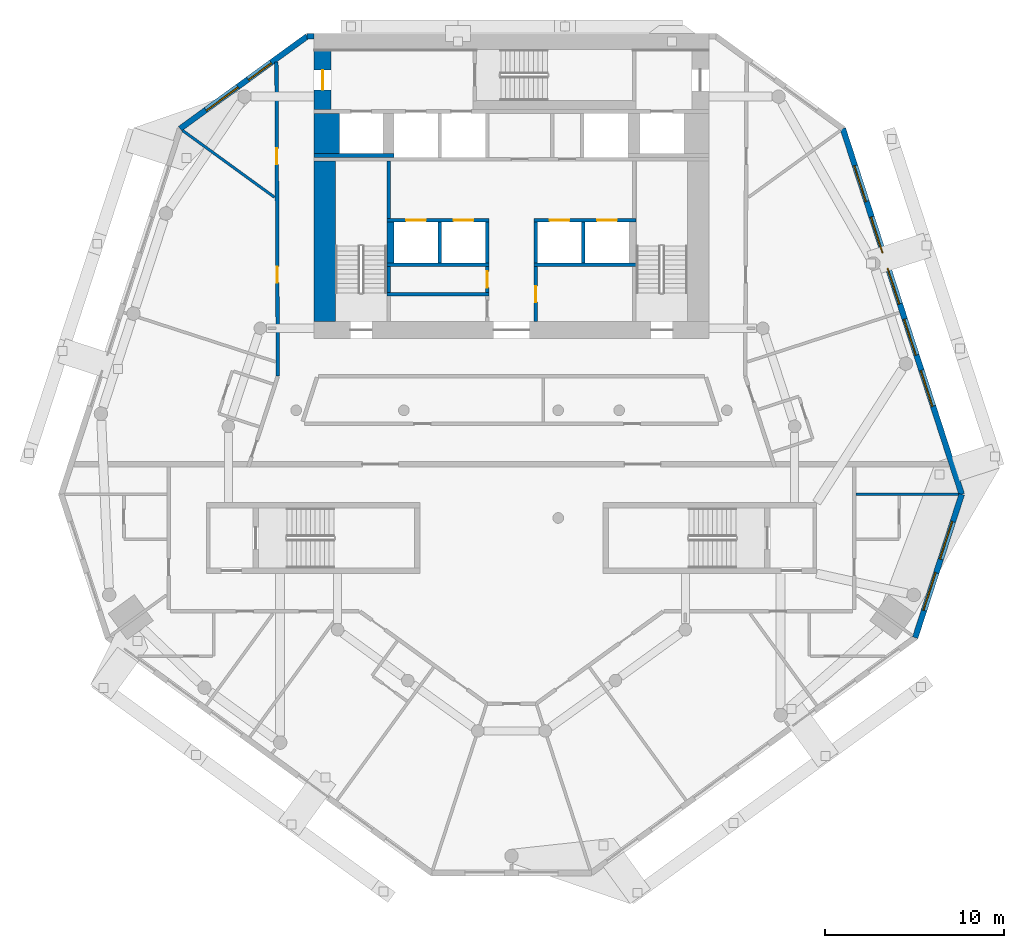
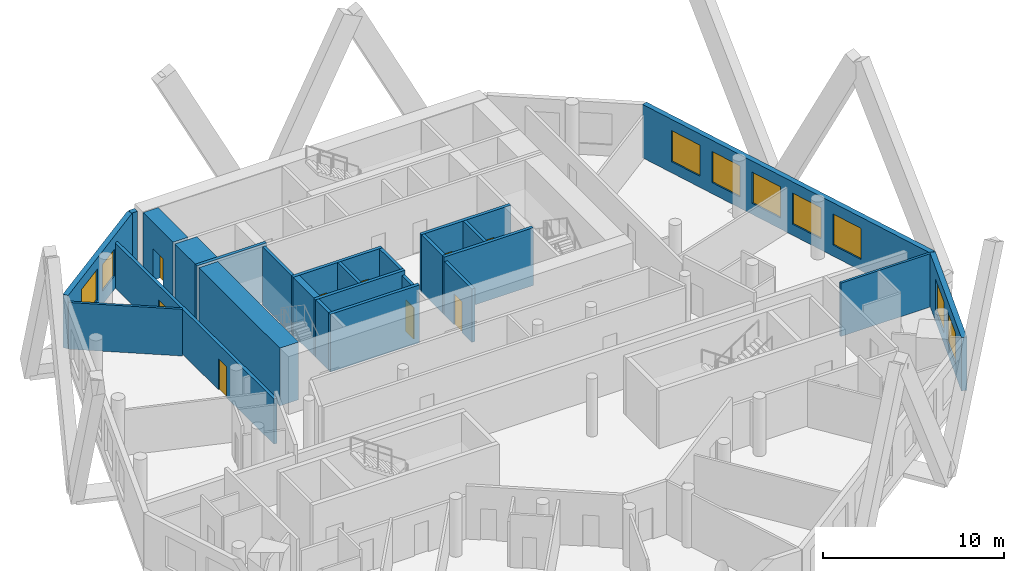
# One storey, part 6 of 10: 25 walls, 9 doors, 9 windows, 18 openings.
"""IFC4 building model written with IfcOpenShell, lengths in metres."""

from ifc_helpers import new_model, si_unit, direction, frame, frame_2d, origin, place, context, subcontext, project, spatial, rectangle, extrude, material, layer, layer_set, type_object, element, fill, save


model = new_model("IFC4")

# Units and contexts
model_context = context("Model", 3, precision=1e-05, world=origin(), true_north=direction((0.0, 1.0)))
body_context = subcontext(model_context, "Body", "Model", "MODEL_VIEW")
ifc_project = project(units=[si_unit("LENGTHUNIT", "METRE"), si_unit("AREAUNIT", "SQUARE_METRE"), si_unit("VOLUMEUNIT", "CUBIC_METRE"), si_unit("PLANEANGLEUNIT", "RADIAN"), si_unit("MASSUNIT", "GRAM", prefix="KILO")], contexts=[model_context])

# Site, building, storey
site_placement = place(None, origin())
site = spatial("IfcSite", under=ifc_project, at=site_placement, CompositionType="ELEMENT")
building_placement = place(site_placement, origin())
building = spatial("IfcBuilding", under=site, at=building_placement, Name="White Candle Pilgrim Tower", CompositionType="ELEMENT")
storey_placement = place(building_placement, frame((0.0, 0.0, 172.0)))
storey = spatial("IfcBuildingStorey", under=building, at=storey_placement, Name="L39", CompositionType="ELEMENT", Elevation=172.0)

# Walls
ifc_material_1 = material(Name="Concrete C60/75", Category="concrete")
ifc_layer_1 = layer(ifc_material_1, 1.39990234375)
ifc_layer_set_1 = layer_set([ifc_layer_1], Name="Core wall 1400 mm Concrete C60/75")
wall_type_1 = type_object("IfcWallType", Name="Core wall 1400 mm Concrete C60/75", PredefinedType="SHEAR", material=ifc_layer_set_1)
wall_1_placement = place(storey_placement, frame((59.699951171875, 81.300048828125, 0.0), z_axis=(0.0, 0.0, 1.0), x_axis=(0.0, 1.0, 0.0)))
element("IfcWall", 1, at=wall_1_placement, inside=storey, type_object=wall_type_1, Name="WL-L39-C40", PredefinedType="SHEAR", context=body_context, shape_type="SweptSolid", body=[
    extrude(rectangle(XDim=2.25, YDim=1.39990234375, at=frame_2d((1.125, 0.0))), origin(), (0.0, 0.0, 1.0), 3.89990234375),
])
ifc_layer_2 = layer(ifc_material_1, 0.199951171875)
ifc_layer_set_2 = layer_set([ifc_layer_2], Name="Core wall 200 mm Concrete C60/75")
wall_type_2 = type_object("IfcWallType", Name="Core wall 200 mm Concrete C60/75", PredefinedType="SHEAR", material=ifc_layer_set_2)
wall_2_placement = place(storey_placement, frame((59.0, 81.199951171875, 0.0), z_axis=(0.0, 0.0, 1.0), x_axis=(1.0, 0.0, 0.0)))
element("IfcWall", 2, at=wall_2_placement, inside=storey, type_object=wall_type_2, Name="WL-L39-C34", PredefinedType="SHEAR", context=body_context, shape_type="SweptSolid", body=[
    extrude(rectangle(XDim=4.449951171875, YDim=0.199951171875, at=frame_2d((2.22509765625, 0.0))), origin(), (0.0, 0.0, 1.0), 3.89990234375),
])

# Wall, opening, door
ifc_layer_3 = layer(ifc_material_1, 0.949951171875)
ifc_layer_set_3 = layer_set([ifc_layer_3], Name="Core wall 950 mm Concrete C60/75")
wall_type_3 = type_object("IfcWallType", Name="Core wall 950 mm Concrete C60/75", PredefinedType="SHEAR", material=ifc_layer_set_3)
wall_3_placement = place(storey_placement, frame((59.47509765625, 83.75, 0.0), z_axis=(0.0, 0.0, 1.0), x_axis=(0.0, 1.0, 0.0)))
wall_3 = element("IfcWall", 3, at=wall_3_placement, inside=storey, type_object=wall_type_3, Name="WL-L39-C45", PredefinedType="SHEAR", context=body_context, shape_type="SweptSolid", body=[
    extrude(rectangle(XDim=3.300048828125, YDim=0.949951171875, at=frame_2d((1.64990234375, 0.0))), origin(), (0.0, 0.0, 1.0), 3.89990234375),
])
opening_1_placement = place(wall_3_placement, frame((1.10009765625, 0.0, 0.0)))
opening_1 = element("IfcOpeningElement", 4, at=opening_1_placement, cuts=wall_3, Name="Opening T12-008", PredefinedType="OPENING", context=body_context, shape_type="SweptSolid", body=[
    extrude(rectangle(XDim=1.10009765625, YDim=2.10009765625, at=frame_2d((0.550048828125, 1.050048828125))), frame((0.0, 0.48486328125, 0.0), z_axis=(0.0, -1.0, 0.0), x_axis=(1.0, 0.0, 0.0)), (0.0, 0.0, 1.0), 0.969970703125),
])
ifc_material_2 = material(Name="Steel door leaf", Category="steel")
door_type_1 = type_object("IfcDoorType", Name="Fire door 1100 x 2100 EI 60", OperationType="NOTDEFINED", PredefinedType="DOOR", material=ifc_material_2)
door_1_placement = place(opening_1_placement, origin())
door_1 = element("IfcDoor", 5, at=door_1_placement, inside=storey, type_object=door_type_1, Name="Door T12-008", OperationType="SINGLE_SWING_RIGHT", OverallHeight=2.10009765625, OverallWidth=1.10009765625, PredefinedType="DOOR", context=body_context, shape_type="SweptSolid", body=[
    extrude(rectangle(XDim=1.10009765625, YDim=2.10009765625, at=frame_2d((0.550048828125, 1.050048828125))), frame((0.0, 0.02490234375, 0.0), z_axis=(0.0, -1.0, 0.0), x_axis=(1.0, 0.0, 0.0)), (0.0, 0.0, 1.0), 0.050048828125),
])
fill(opening_1, door_1)

# Wall, openings, doors
ifc_material_3 = material(Name="Gypsum board on steel studs", Category="steel")
ifc_layer_4 = layer(ifc_material_3, 0.199951171875)
ifc_layer_set_4 = layer_set([ifc_layer_4], Name="Corridor wall 200 mm EI 45")
wall_type_4 = type_object("IfcWallType", Name="Corridor wall 200 mm EI 45", PredefinedType="PARTITIONING", material=ifc_layer_set_4)
wall_4_placement = place(storey_placement, frame((56.975341796875, 68.916015625, 0.0), z_axis=(0.0, 0.0, 1.0), x_axis=(-0.004315662543, 0.999990687485, 0.0)))
wall_4 = element("IfcWall", 6, at=wall_4_placement, inside=storey, type_object=wall_type_4, Name="WL-L39-P003", PredefinedType="PARTITIONING", context=body_context, shape_type="SweptSolid", body=[
    extrude(rectangle(XDim=17.48046875, YDim=0.199951171875, at=frame_2d((8.740234375, 0.0))), origin(), (0.0, 0.0, 1.0), 3.050048828125),
])
opening_2_placement = place(wall_4_placement, frame((5.194580078125, 0.0, 0.0)))
opening_2 = element("IfcOpeningElement", 7, at=opening_2_placement, cuts=wall_4, Name="Opening T12-123", PredefinedType="OPENING", context=body_context, shape_type="SweptSolid", body=[
    extrude(rectangle(XDim=0.89990234375, YDim=2.10009765625, at=frame_2d((0.449951171875, 1.050048828125))), frame((0.0, 0.10986328125, 0.0), z_axis=(0.0, -1.0, 0.0), x_axis=(1.0, 0.0, 0.0)), (0.0, 0.0, 1.0), 0.219970703125),
])
opening_3_placement = place(wall_4_placement, frame((11.7861328125, 0.0, 0.0)))
opening_3 = element("IfcOpeningElement", 8, at=opening_3_placement, cuts=wall_4, Name="Opening T12-124", PredefinedType="OPENING", context=body_context, shape_type="SweptSolid", body=[
    extrude(rectangle(XDim=0.89990234375, YDim=2.10009765625, at=frame_2d((0.449951171875, 1.050048828125))), frame((0.0, 0.10986328125, 0.0), z_axis=(0.0, -1.0, 0.0), x_axis=(1.0, 0.0, 0.0)), (0.0, 0.0, 1.0), 0.219970703125),
])
door_type_2 = type_object("IfcDoorType", Name="Fire door 900 x 2100 EI 30", OperationType="NOTDEFINED", PredefinedType="DOOR", material=ifc_material_2)
door_2_placement = place(opening_2_placement, origin())
door_2 = element("IfcDoor", 9, at=door_2_placement, inside=storey, type_object=door_type_2, Name="Door T12-123", OperationType="SINGLE_SWING_LEFT", OverallHeight=2.10009765625, OverallWidth=0.89990234375, PredefinedType="DOOR", context=body_context, shape_type="SweptSolid", body=[
    extrude(rectangle(XDim=0.89990234375, YDim=2.10009765625, at=frame_2d((0.449951171875, 1.050048828125))), frame((0.0, 0.02490234375, 0.0), z_axis=(0.0, -1.0, 0.0), x_axis=(1.0, 0.0, 0.0)), (0.0, 0.0, 1.0), 0.050048828125),
])
fill(opening_2, door_2)
door_3_placement = place(opening_3_placement, origin())
door_3 = element("IfcDoor", 10, at=door_3_placement, inside=storey, type_object=door_type_2, Name="Door T12-124", OperationType="SINGLE_SWING_RIGHT", OverallHeight=2.10009765625, OverallWidth=0.89990234375, PredefinedType="DOOR", context=body_context, shape_type="SweptSolid", body=[
    extrude(rectangle(XDim=0.89990234375, YDim=2.10009765625, at=frame_2d((0.449951171875, 1.050048828125))), frame((0.0, 0.02490234375, 0.0), z_axis=(0.0, -1.0, 0.0), x_axis=(1.0, 0.0, 0.0)), (0.0, 0.0, 1.0), 0.050048828125),
])
fill(opening_3, door_3)

# Wall, openings, windows
ifc_material_4 = material(Name="Precast concrete C40/50", Category="concrete")
ifc_layer_5 = layer(ifc_material_4, 0.320068359375)
ifc_layer_set_5 = layer_set([ifc_layer_5], Name="Facade wall EW1 precast concrete C40/50 pier wall with timber-lined reveals")
wall_type_5 = type_object("IfcWallType", Name="Facade wall EW1 precast concrete C40/50 pier wall with timber-lined reveals", PredefinedType="SOLIDWALL", material=ifc_layer_set_5)
wall_5_placement = place(storey_placement, frame((92.4951171875, 54.328125, 0.0), z_axis=(0.0, 0.0, 1.0), x_axis=(0.309022961141, 0.951054577555, 0.0)))
wall_5 = element("IfcWall", 11, at=wall_5_placement, inside=storey, type_object=wall_type_5, Name="Facade wall L39 E chamfer", PredefinedType="SOLIDWALL", context=body_context, shape_type="SweptSolid", body=[
    extrude(rectangle(XDim=8.3974609375, YDim=0.320068359375, at=frame_2d((4.19873046875, 0.0))), origin(), (0.0, 0.0, 1.0), 3.60009765625),
])
opening_4_placement = place(wall_5_placement, frame((1.5986328125, 0.0, 0.75)))
opening_4 = element("IfcOpeningElement", 12, at=opening_4_placement, cuts=wall_5, Name="Opening W4", PredefinedType="OPENING", context=body_context, shape_type="SweptSolid", body=[
    extrude(rectangle(XDim=2.199951171875, YDim=2.10009765625, at=frame_2d((1.10009765625, 1.050048828125))), frame((0.0, 0.169921875, 0.0), z_axis=(0.0, -1.0, 0.0), x_axis=(1.0, 0.0, 0.0)), (0.0, 0.0, 1.0), 0.340087890625),
])
opening_5_placement = place(wall_5_placement, frame((4.5986328125, 0.0, 0.75)))
opening_5 = element("IfcOpeningElement", 13, at=opening_5_placement, cuts=wall_5, Name="Opening W4", PredefinedType="OPENING", context=body_context, shape_type="SweptSolid", body=[
    extrude(rectangle(XDim=2.199951171875, YDim=2.10009765625, at=frame_2d((1.10009765625, 1.050048828125))), frame((0.0, 0.169921875, 0.0), z_axis=(0.0, -1.0, 0.0), x_axis=(1.0, 0.0, 0.0)), (0.0, 0.0, 1.0), 0.340087890625),
])
ifc_material_5 = material(Name="Timber frame with triple glazing", Category="wood")
window_type_1 = type_object("IfcWindowType", Name="Window W4 2200x2100 timber frame triple glazing", PartitioningType="SINGLE_PANEL", PredefinedType="WINDOW", material=ifc_material_5)
window_1_placement = place(opening_4_placement, origin())
window_1 = element("IfcWindow", 14, at=window_1_placement, inside=storey, type_object=window_type_1, Name="Window W4 L39 E chamfer 1", OverallHeight=2.10009765625, OverallWidth=2.199951171875, PartitioningType="SINGLE_PANEL", PredefinedType="WINDOW", context=body_context, shape_type="SweptSolid", body=[
    extrude(rectangle(XDim=2.199951171875, YDim=2.10009765625, at=frame_2d((1.10009765625, 1.050048828125))), frame((0.0, 0.070068359375, 0.0), z_axis=(0.0, -1.0, 0.0), x_axis=(1.0, 0.0, 0.0)), (0.0, 0.0, 1.0), 0.06005859375),
])
fill(opening_4, window_1)
window_2_placement = place(opening_5_placement, origin())
window_2 = element("IfcWindow", 15, at=window_2_placement, inside=storey, type_object=window_type_1, Name="Window W4 L39 E chamfer 2", OverallHeight=2.10009765625, OverallWidth=2.199951171875, PartitioningType="SINGLE_PANEL", PredefinedType="WINDOW", context=body_context, shape_type="SweptSolid", body=[
    extrude(rectangle(XDim=2.199951171875, YDim=2.10009765625, at=frame_2d((1.10009765625, 1.050048828125))), frame((0.0, 0.070068359375, 0.0), z_axis=(0.0, -1.0, 0.0), x_axis=(1.0, 0.0, 0.0)), (0.0, 0.0, 1.0), 0.06005859375),
])
fill(opening_5, window_2)

wall_6_placement = place(storey_placement, frame((95.090087890625, 62.314453125, 0.0), z_axis=(0.0, 0.0, 1.0), x_axis=(-0.309016769675, 0.951056589304, 0.0)))
wall_6 = element("IfcWall", 16, at=wall_6_placement, inside=storey, type_object=wall_type_5, Name="Facade wall L39 ENE", PredefinedType="SOLIDWALL", context=body_context, shape_type="SweptSolid", body=[
    extrude(rectangle(XDim=21.427978515625, YDim=0.320068359375, at=frame_2d((10.7138671875, 0.0))), origin(), (0.0, 0.0, 1.0), 3.60009765625),
])
opening_6_placement = place(wall_6_placement, frame((5.163818359375, 0.0, 0.75)))
opening_6 = element("IfcOpeningElement", 17, at=opening_6_placement, cuts=wall_6, Name="Opening W3", PredefinedType="OPENING", context=body_context, shape_type="SweptSolid", body=[
    extrude(rectangle(XDim=2.10009765625, YDim=2.10009765625, at=frame_2d((1.050048828125, 1.050048828125))), frame((0.0, 0.169921875, 0.0), z_axis=(0.0, -1.0, 0.0), x_axis=(1.0, 0.0, 0.0)), (0.0, 0.0, 1.0), 0.340087890625),
])
opening_7_placement = place(wall_6_placement, frame((8.163818359375, 0.0, 0.75)))
opening_7 = element("IfcOpeningElement", 18, at=opening_7_placement, cuts=wall_6, Name="Opening W3", PredefinedType="OPENING", context=body_context, shape_type="SweptSolid", body=[
    extrude(rectangle(XDim=2.10009765625, YDim=2.10009765625, at=frame_2d((1.050048828125, 1.050048828125))), frame((0.0, 0.169921875, 0.0), z_axis=(0.0, -1.0, 0.0), x_axis=(1.0, 0.0, 0.0)), (0.0, 0.0, 1.0), 0.340087890625),
])
opening_8_placement = place(wall_6_placement, frame((11.163818359375, 0.0, 0.75)))
opening_8 = element("IfcOpeningElement", 19, at=opening_8_placement, cuts=wall_6, Name="Opening W3", PredefinedType="OPENING", context=body_context, shape_type="SweptSolid", body=[
    extrude(rectangle(XDim=2.10009765625, YDim=2.10009765625, at=frame_2d((1.050048828125, 1.050048828125))), frame((0.0, 0.169921875, 0.0), z_axis=(0.0, -1.0, 0.0), x_axis=(1.0, 0.0, 0.0)), (0.0, 0.0, 1.0), 0.340087890625),
])
opening_9_placement = place(wall_6_placement, frame((14.163818359375, 0.0, 0.75)))
opening_9 = element("IfcOpeningElement", 20, at=opening_9_placement, cuts=wall_6, Name="Opening W3", PredefinedType="OPENING", context=body_context, shape_type="SweptSolid", body=[
    extrude(rectangle(XDim=2.10009765625, YDim=2.10009765625, at=frame_2d((1.050048828125, 1.050048828125))), frame((0.0, 0.169921875, 0.0), z_axis=(0.0, -1.0, 0.0), x_axis=(1.0, 0.0, 0.0)), (0.0, 0.0, 1.0), 0.340087890625),
])
opening_10_placement = place(wall_6_placement, frame((17.163818359375, 0.0, 0.75)))
opening_10 = element("IfcOpeningElement", 21, at=opening_10_placement, cuts=wall_6, Name="Opening W3", PredefinedType="OPENING", context=body_context, shape_type="SweptSolid", body=[
    extrude(rectangle(XDim=2.10009765625, YDim=2.10009765625, at=frame_2d((1.050048828125, 1.050048828125))), frame((0.0, 0.169921875, 0.0), z_axis=(0.0, -1.0, 0.0), x_axis=(1.0, 0.0, 0.0)), (0.0, 0.0, 1.0), 0.340087890625),
])
window_type_2 = type_object("IfcWindowType", Name="Window W3 2100x2100 timber frame triple glazing", PartitioningType="SINGLE_PANEL", PredefinedType="WINDOW", material=ifc_material_5)
window_3_placement = place(opening_6_placement, origin())
window_3 = element("IfcWindow", 22, at=window_3_placement, inside=storey, type_object=window_type_2, Name="Window W3 L39 ENE 2", OverallHeight=2.10009765625, OverallWidth=2.10009765625, PartitioningType="SINGLE_PANEL", PredefinedType="WINDOW", context=body_context, shape_type="SweptSolid", body=[
    extrude(rectangle(XDim=2.10009765625, YDim=2.10009765625, at=frame_2d((1.050048828125, 1.050048828125))), frame((0.0, 0.070068359375, 0.0), z_axis=(0.0, -1.0, 0.0), x_axis=(1.0, 0.0, 0.0)), (0.0, 0.0, 1.0), 0.06005859375),
])
fill(opening_6, window_3)
window_4_placement = place(opening_7_placement, origin())
window_4 = element("IfcWindow", 23, at=window_4_placement, inside=storey, type_object=window_type_2, Name="Window W3 L39 ENE 3", OverallHeight=2.10009765625, OverallWidth=2.10009765625, PartitioningType="SINGLE_PANEL", PredefinedType="WINDOW", context=body_context, shape_type="SweptSolid", body=[
    extrude(rectangle(XDim=2.10009765625, YDim=2.10009765625, at=frame_2d((1.050048828125, 1.050048828125))), frame((0.0, 0.070068359375, 0.0), z_axis=(0.0, -1.0, 0.0), x_axis=(1.0, 0.0, 0.0)), (0.0, 0.0, 1.0), 0.06005859375),
])
fill(opening_7, window_4)
window_5_placement = place(opening_8_placement, origin())
window_5 = element("IfcWindow", 24, at=window_5_placement, inside=storey, type_object=window_type_2, Name="Window W3 L39 ENE 4", OverallHeight=2.10009765625, OverallWidth=2.10009765625, PartitioningType="SINGLE_PANEL", PredefinedType="WINDOW", context=body_context, shape_type="SweptSolid", body=[
    extrude(rectangle(XDim=2.10009765625, YDim=2.10009765625, at=frame_2d((1.050048828125, 1.050048828125))), frame((0.0, 0.070068359375, 0.0), z_axis=(0.0, -1.0, 0.0), x_axis=(1.0, 0.0, 0.0)), (0.0, 0.0, 1.0), 0.06005859375),
])
fill(opening_8, window_5)
window_6_placement = place(opening_9_placement, origin())
window_6 = element("IfcWindow", 25, at=window_6_placement, inside=storey, type_object=window_type_2, Name="Window W3 L39 ENE 5", OverallHeight=2.10009765625, OverallWidth=2.10009765625, PartitioningType="SINGLE_PANEL", PredefinedType="WINDOW", context=body_context, shape_type="SweptSolid", body=[
    extrude(rectangle(XDim=2.10009765625, YDim=2.10009765625, at=frame_2d((1.050048828125, 1.050048828125))), frame((0.0, 0.070068359375, 0.0), z_axis=(0.0, -1.0, 0.0), x_axis=(1.0, 0.0, 0.0)), (0.0, 0.0, 1.0), 0.06005859375),
])
fill(opening_9, window_6)
window_7_placement = place(opening_10_placement, origin())
window_7 = element("IfcWindow", 26, at=window_7_placement, inside=storey, type_object=window_type_2, Name="Window W3 L39 ENE 6", OverallHeight=2.10009765625, OverallWidth=2.10009765625, PartitioningType="SINGLE_PANEL", PredefinedType="WINDOW", context=body_context, shape_type="SweptSolid", body=[
    extrude(rectangle(XDim=2.10009765625, YDim=2.10009765625, at=frame_2d((1.050048828125, 1.050048828125))), frame((0.0, 0.070068359375, 0.0), z_axis=(0.0, -1.0, 0.0), x_axis=(1.0, 0.0, 0.0)), (0.0, 0.0, 1.0), 0.06005859375),
])
fill(opening_10, window_7)

# Wall
wall_7_placement = place(storey_placement, frame((59.0, 87.840087890625, 0.0), z_axis=(0.0, 0.0, 1.0), x_axis=(-1.0, 0.0, 0.0)))
element("IfcWall", 27, at=wall_7_placement, inside=storey, type_object=wall_type_5, Name="Facade wall L39 N", PredefinedType="SOLIDWALL", context=body_context, shape_type="SweptSolid", body=[
    extrude(rectangle(XDim=0.385009765625, YDim=0.320068359375, at=frame_2d((0.1923828125, 0.0))), origin(), (0.0, 0.0, 1.0), 3.60009765625),
])

# Wall, openings, windows
wall_8_placement = place(storey_placement, frame((58.614990234375, 87.840087890625, 0.0), z_axis=(0.0, 0.0, 1.0), x_axis=(-0.809015733499, -0.587786987735, 0.0)))
wall_8 = element("IfcWall", 28, at=wall_8_placement, inside=storey, type_object=wall_type_5, Name="Facade wall L39 NW chamfer", PredefinedType="SOLIDWALL", context=body_context, shape_type="SweptSolid", body=[
    extrude(rectangle(XDim=8.755615234375, YDim=0.320068359375, at=frame_2d((4.3779296875, 0.0))), origin(), (0.0, 0.0, 1.0), 3.60009765625),
])
opening_11_placement = place(wall_8_placement, frame((2.477783203125, 0.0, 0.89990234375)))
opening_11 = element("IfcOpeningElement", 29, at=opening_11_placement, cuts=wall_8, Name="Opening W2", PredefinedType="OPENING", context=body_context, shape_type="SweptSolid", body=[
    extrude(rectangle(XDim=1.60009765625, YDim=1.800048828125, at=frame_2d((0.800048828125, 0.89990234375))), frame((0.0, 0.169921875, 0.0), z_axis=(0.0, -1.0, 0.0), x_axis=(1.0, 0.0, 0.0)), (0.0, 0.0, 1.0), 0.340087890625),
])
opening_12_placement = place(wall_8_placement, frame((4.77783203125, 0.0, 0.75)))
opening_12 = element("IfcOpeningElement", 30, at=opening_12_placement, cuts=wall_8, Name="Opening W4", PredefinedType="OPENING", context=body_context, shape_type="SweptSolid", body=[
    extrude(rectangle(XDim=2.199951171875, YDim=2.10009765625, at=frame_2d((1.10009765625, 1.050048828125))), frame((0.0, 0.169921875, 0.0), z_axis=(0.0, -1.0, 0.0), x_axis=(1.0, 0.0, 0.0)), (0.0, 0.0, 1.0), 0.340087890625),
])
window_type_3 = type_object("IfcWindowType", Name="Window W2 1600x1800 timber frame triple glazing", PartitioningType="SINGLE_PANEL", PredefinedType="WINDOW", material=ifc_material_5)
window_8_placement = place(opening_11_placement, origin())
window_8 = element("IfcWindow", 31, at=window_8_placement, inside=storey, type_object=window_type_3, Name="Window W2 L39 NW chamfer 1", OverallHeight=1.800048828125, OverallWidth=1.60009765625, PartitioningType="SINGLE_PANEL", PredefinedType="WINDOW", context=body_context, shape_type="SweptSolid", body=[
    extrude(rectangle(XDim=1.60009765625, YDim=1.800048828125, at=frame_2d((0.800048828125, 0.89990234375))), frame((0.0, 0.070068359375, 0.0), z_axis=(0.0, -1.0, 0.0), x_axis=(1.0, 0.0, 0.0)), (0.0, 0.0, 1.0), 0.06005859375),
])
fill(opening_11, window_8)
window_9_placement = place(opening_12_placement, origin())
window_9 = element("IfcWindow", 32, at=window_9_placement, inside=storey, type_object=window_type_1, Name="Window W4 L39 NW chamfer 2", OverallHeight=2.10009765625, OverallWidth=2.199951171875, PartitioningType="SINGLE_PANEL", PredefinedType="WINDOW", context=body_context, shape_type="SweptSolid", body=[
    extrude(rectangle(XDim=2.199951171875, YDim=2.10009765625, at=frame_2d((1.10009765625, 1.050048828125))), frame((0.0, 0.070068359375, 0.0), z_axis=(0.0, -1.0, 0.0), x_axis=(1.0, 0.0, 0.0)), (0.0, 0.0, 1.0), 0.06005859375),
])
fill(opening_12, window_9)

# Wall, opening, door
ifc_layer_6 = layer(ifc_material_3, 0.199951171875)
ifc_layer_set_6 = layer_set([ifc_layer_6], Name="Lobby wall 200 mm EI 60")
wall_type_6 = type_object("IfcWallType", Name="Lobby wall 200 mm EI 60", PredefinedType="PARTITIONING", material=ifc_layer_set_6)
wall_9_placement = place(storey_placement, frame((71.35009765625, 71.949951171875, 0.0), z_axis=(0.0, 0.0, 1.0), x_axis=(0.0, 1.0, 0.0)))
wall_9 = element("IfcWall", 33, at=wall_9_placement, inside=storey, type_object=wall_type_6, Name="WL-L39-C15", PredefinedType="PARTITIONING", context=body_context, shape_type="SweptSolid", body=[
    extrude(rectangle(XDim=3.050048828125, YDim=0.199951171875, at=frame_2d((1.52490234375, 0.0))), origin(), (0.0, 0.0, 1.0), 3.60009765625),
])
opening_13_placement = place(wall_9_placement, frame((1.074951171875, 0.0, 0.0)))
opening_13 = element("IfcOpeningElement", 34, at=opening_13_placement, cuts=wall_9, Name="Opening T12-007", PredefinedType="OPENING", context=body_context, shape_type="SweptSolid", body=[
    extrude(rectangle(XDim=0.89990234375, YDim=2.10009765625, at=frame_2d((0.449951171875, 1.050048828125))), frame((0.0, 0.10986328125, 0.0), z_axis=(0.0, -1.0, 0.0), x_axis=(1.0, 0.0, 0.0)), (0.0, 0.0, 1.0), 0.219970703125),
])
door_4_placement = place(opening_13_placement, origin())
door_4 = element("IfcDoor", 35, at=door_4_placement, inside=storey, type_object=door_type_2, Name="Door T12-007", OperationType="SINGLE_SWING_LEFT", OverallHeight=2.10009765625, OverallWidth=0.89990234375, PredefinedType="DOOR", context=body_context, shape_type="SweptSolid", body=[
    extrude(rectangle(XDim=0.89990234375, YDim=2.10009765625, at=frame_2d((0.449951171875, 1.050048828125))), frame((0.0, 0.02490234375, 0.0), z_axis=(0.0, -1.0, 0.0), x_axis=(1.0, 0.0, 0.0)), (0.0, 0.0, 1.0), 0.050048828125),
])
fill(opening_13, door_4)

wall_10_placement = place(storey_placement, frame((68.64990234375, 73.574951171875, 0.0), z_axis=(0.0, 0.0, 1.0), x_axis=(0.0, 1.0, 0.0)))
wall_10 = element("IfcWall", 36, at=wall_10_placement, inside=storey, type_object=wall_type_6, Name="WL-L39-C20", PredefinedType="PARTITIONING", context=body_context, shape_type="SweptSolid", body=[
    extrude(rectangle(XDim=1.425048828125, YDim=0.199951171875, at=frame_2d((0.71240234375, 0.0))), origin(), (0.0, 0.0, 1.0), 3.60009765625),
])
opening_14_placement = place(wall_10_placement, frame((0.262451171875, 0.0, 0.0)))
opening_14 = element("IfcOpeningElement", 37, at=opening_14_placement, cuts=wall_10, Name="Opening T12-006", PredefinedType="OPENING", context=body_context, shape_type="SweptSolid", body=[
    extrude(rectangle(XDim=0.89990234375, YDim=2.10009765625, at=frame_2d((0.449951171875, 1.050048828125))), frame((0.0, 0.10986328125, 0.0), z_axis=(0.0, -1.0, 0.0), x_axis=(1.0, 0.0, 0.0)), (0.0, 0.0, 1.0), 0.219970703125),
])
door_5_placement = place(opening_14_placement, origin())
door_5 = element("IfcDoor", 38, at=door_5_placement, inside=storey, type_object=door_type_2, Name="Door T12-006", OperationType="SINGLE_SWING_RIGHT", OverallHeight=2.10009765625, OverallWidth=0.89990234375, PredefinedType="DOOR", context=body_context, shape_type="SweptSolid", body=[
    extrude(rectangle(XDim=0.89990234375, YDim=2.10009765625, at=frame_2d((0.449951171875, 1.050048828125))), frame((0.0, 0.02490234375, 0.0), z_axis=(0.0, -1.0, 0.0), x_axis=(1.0, 0.0, 0.0)), (0.0, 0.0, 1.0), 0.050048828125),
])
fill(opening_14, door_5)

# Walls
ifc_layer_7 = layer(ifc_material_3, 0.14990234375)
ifc_layer_set_7 = layer_set([ifc_layer_7], Name="Partition 150 mm EI 60")
wall_type_7 = type_object("IfcWallType", Name="Partition 150 mm EI 60", PredefinedType="PARTITIONING", material=ifc_layer_set_7)
wall_11_placement = place(storey_placement, frame((51.66748046875, 82.594482421875, 0.0), z_axis=(0.0, 0.0, 1.0), x_axis=(0.809026220211, -0.587772553809, 0.0)))
element("IfcWall", 39, at=wall_11_placement, inside=storey, type_object=wall_type_7, Name="WL-L39-P017", PredefinedType="PARTITIONING", context=body_context, shape_type="SweptSolid", body=[
    extrude(rectangle(XDim=6.329345703125, YDim=0.14990234375, at=frame_2d((3.16455078125, 0.0))), origin(), (0.0, 0.0, 1.0), 3.14990234375),
])
wall_12_placement = place(storey_placement, frame((94.921875, 62.314453125, 0.0), z_axis=(0.0, 0.0, 1.0), x_axis=(-1.0, 0.0, 0.0)))
element("IfcWall", 40, at=wall_12_placement, inside=storey, type_object=wall_type_7, Name="WL-L39-P023", PredefinedType="PARTITIONING", context=body_context, shape_type="SweptSolid", body=[
    extrude(rectangle(XDim=5.721923828125, YDim=0.14990234375, at=frame_2d((2.86083984375, 0.0))), origin(), (0.0, 0.0, 1.0), 3.60009765625),
])
ifc_layer_8 = layer(ifc_material_1, 0.199951171875)
ifc_layer_set_8 = layer_set([ifc_layer_8], Name="Shaft wall 200 mm Concrete C60/75")
wall_type_8 = type_object("IfcWallType", Name="Shaft wall 200 mm Concrete C60/75", PredefinedType="SHEAR", material=ifc_layer_set_8)
for number, where, z_axis, x_axis, name in (
    (41, (66.0, 75.199951171875, 0.0), (0.0, 0.0, 1.0), (0.0, 1.0, 0.0), "WL-L39-C24"),
    (42, (68.64990234375, 75.199951171875, 0.0), (0.0, 0.0, 1.0), (0.0, 1.0, 0.0), "WL-L39-C25"),
    (43, (71.35009765625, 75.199951171875, 0.0), (0.0, 0.0, 1.0), (0.0, 1.0, 0.0), "WL-L39-C26"),
    (44, (74.0, 75.199951171875, 0.0), (0.0, 0.0, 1.0), (0.0, 1.0, 0.0), "WL-L39-C27"),
):
    element("IfcWall", number, at=place(storey_placement, frame(where, z_axis=z_axis, x_axis=x_axis)), inside=storey, type_object=wall_type_8, Name=name, PredefinedType="SHEAR", context=body_context, shape_type="SweptSolid", body=[
        extrude(rectangle(XDim=2.300048828125, YDim=0.199951171875, at=frame_2d((1.14990234375, 0.0))), origin(), (0.0, 0.0, 1.0), 3.89990234375),
    ])
ifc_layer_9 = layer(ifc_material_1, 1.199951171875)
ifc_layer_set_9 = layer_set([ifc_layer_9], Name="Stair shaft wall 1200 mm Concrete C60/75")
wall_type_9 = type_object("IfcWallType", Name="Stair shaft wall 1200 mm Concrete C60/75", PredefinedType="SHEAR", material=ifc_layer_set_9)
wall_13_placement = place(storey_placement, frame((59.60009765625, 71.949951171875, 0.0), z_axis=(0.0, 0.0, 1.0), x_axis=(0.0, 1.0, 0.0)))
element("IfcWall", 45, at=wall_13_placement, inside=storey, type_object=wall_type_9, Name="WL-L39-C12", PredefinedType="SHEAR", context=body_context, shape_type="SweptSolid", body=[
    extrude(rectangle(XDim=8.949951171875, YDim=1.199951171875, at=frame_2d((4.47509765625, 0.0))), origin(), (0.0, 0.0, 1.0), 3.89990234375),
])
ifc_layer_10 = layer(ifc_material_1, 0.199951171875)
ifc_layer_set_10 = layer_set([ifc_layer_10], Name="Stair shaft wall 200 mm Concrete C60/75")
wall_type_10 = type_object("IfcWallType", Name="Stair shaft wall 200 mm Concrete C60/75", PredefinedType="SHEAR", material=ifc_layer_set_10)
wall_14_placement = place(storey_placement, frame((63.050048828125, 73.47509765625, 0.0), z_axis=(0.0, 0.0, 1.0), x_axis=(1.0, 0.0, 0.0)))
element("IfcWall", 46, at=wall_14_placement, inside=storey, type_object=wall_type_10, Name="WL-L39-C18", PredefinedType="SHEAR", context=body_context, shape_type="SweptSolid", body=[
    extrude(rectangle(XDim=5.699951171875, YDim=0.199951171875, at=frame_2d((2.85009765625, 0.0))), origin(), (0.0, 0.0, 1.0), 3.89990234375),
])
wall_15_placement = place(storey_placement, frame((63.14990234375, 73.574951171875, 0.0), z_axis=(0.0, 0.0, 1.0), x_axis=(0.0, 1.0, 0.0)))
element("IfcWall", 47, at=wall_15_placement, inside=storey, type_object=wall_type_10, Name="WL-L39-C19", PredefinedType="SHEAR", context=body_context, shape_type="SweptSolid", body=[
    extrude(rectangle(XDim=1.425048828125, YDim=0.199951171875, at=frame_2d((0.71240234375, 0.0))), origin(), (0.0, 0.0, 1.0), 3.89990234375),
])
for number, where, z_axis, x_axis, name in (
    (48, (63.050048828125, 75.10009765625, 0.0), (0.0, 0.0, 1.0), (1.0, 0.0, 0.0), "WL-L39-C21"),
    (49, (71.25, 75.10009765625, 0.0), (0.0, 0.0, 1.0), (1.0, 0.0, 0.0), "WL-L39-C22"),
):
    element("IfcWall", number, at=place(storey_placement, frame(where, z_axis=z_axis, x_axis=x_axis)), inside=storey, type_object=wall_type_10, Name=name, PredefinedType="SHEAR", context=body_context, shape_type="SweptSolid", body=[
        extrude(rectangle(XDim=5.699951171875, YDim=0.199951171875, at=frame_2d((2.85009765625, 0.0))), origin(), (0.0, 0.0, 1.0), 3.89990234375),
    ])

# Wall, openings, doors
wall_16_placement = place(storey_placement, frame((63.050048828125, 77.60009765625, 0.0), z_axis=(0.0, 0.0, 1.0), x_axis=(1.0, 0.0, 0.0)))
wall_16 = element("IfcWall", 50, at=wall_16_placement, inside=storey, type_object=wall_type_10, Name="WL-L39-C29", PredefinedType="SHEAR", context=body_context, shape_type="SweptSolid", body=[
    extrude(rectangle(XDim=5.699951171875, YDim=0.199951171875, at=frame_2d((2.85009765625, 0.0))), origin(), (0.0, 0.0, 1.0), 3.89990234375),
])
opening_15_placement = place(wall_16_placement, frame((1.074951171875, 0.0, 0.0)))
opening_15 = element("IfcOpeningElement", 51, at=opening_15_placement, cuts=wall_16, Name="Opening T12-014", PredefinedType="OPENING", context=body_context, shape_type="SweptSolid", body=[
    extrude(rectangle(XDim=1.10009765625, YDim=2.10009765625, at=frame_2d((0.550048828125, 1.050048828125))), frame((0.0, 0.10986328125, 0.0), z_axis=(0.0, -1.0, 0.0), x_axis=(1.0, 0.0, 0.0)), (0.0, 0.0, 1.0), 0.219970703125),
])
opening_16_placement = place(wall_16_placement, frame((3.72509765625, 0.0, 0.0)))
opening_16 = element("IfcOpeningElement", 52, at=opening_16_placement, cuts=wall_16, Name="Opening T12-015", PredefinedType="OPENING", context=body_context, shape_type="SweptSolid", body=[
    extrude(rectangle(XDim=1.10009765625, YDim=2.10009765625, at=frame_2d((0.550048828125, 1.050048828125))), frame((0.0, 0.10986328125, 0.0), z_axis=(0.0, -1.0, 0.0), x_axis=(1.0, 0.0, 0.0)), (0.0, 0.0, 1.0), 0.219970703125),
])
ifc_material_6 = material(Name="Stainless steel", Category="steel")
door_type_3 = type_object("IfcDoorType", Name="Lift landing door 1100 x 2100 E 60", OperationType="DOUBLE_DOOR_SLIDING", PredefinedType="DOOR", material=ifc_material_6)
door_6_placement = place(opening_15_placement, origin())
door_6 = element("IfcDoor", 53, at=door_6_placement, inside=storey, type_object=door_type_3, Name="Door T12-014", OperationType="DOUBLE_DOOR_SLIDING", OverallHeight=2.10009765625, OverallWidth=1.10009765625, PredefinedType="DOOR", context=body_context, shape_type="SweptSolid", body=[
    extrude(rectangle(XDim=1.10009765625, YDim=2.10009765625, at=frame_2d((0.550048828125, 1.050048828125))), frame((0.0, 0.02490234375, 0.0), z_axis=(0.0, -1.0, 0.0), x_axis=(1.0, 0.0, 0.0)), (0.0, 0.0, 1.0), 0.050048828125),
])
fill(opening_15, door_6)
door_7_placement = place(opening_16_placement, origin())
door_7 = element("IfcDoor", 54, at=door_7_placement, inside=storey, type_object=door_type_3, Name="Door T12-015", OperationType="DOUBLE_DOOR_SLIDING", OverallHeight=2.10009765625, OverallWidth=1.10009765625, PredefinedType="DOOR", context=body_context, shape_type="SweptSolid", body=[
    extrude(rectangle(XDim=1.10009765625, YDim=2.10009765625, at=frame_2d((0.550048828125, 1.050048828125))), frame((0.0, 0.02490234375, 0.0), z_axis=(0.0, -1.0, 0.0), x_axis=(1.0, 0.0, 0.0)), (0.0, 0.0, 1.0), 0.050048828125),
])
fill(opening_16, door_7)

wall_17_placement = place(storey_placement, frame((71.25, 77.60009765625, 0.0), z_axis=(0.0, 0.0, 1.0), x_axis=(1.0, 0.0, 0.0)))
wall_17 = element("IfcWall", 55, at=wall_17_placement, inside=storey, type_object=wall_type_10, Name="WL-L39-C30", PredefinedType="SHEAR", context=body_context, shape_type="SweptSolid", body=[
    extrude(rectangle(XDim=5.699951171875, YDim=0.199951171875, at=frame_2d((2.85009765625, 0.0))), origin(), (0.0, 0.0, 1.0), 3.89990234375),
])
opening_17_placement = place(wall_17_placement, frame((0.875, 0.0, 0.0)))
opening_17 = element("IfcOpeningElement", 56, at=opening_17_placement, cuts=wall_17, Name="Opening T12-016", PredefinedType="OPENING", context=body_context, shape_type="SweptSolid", body=[
    extrude(rectangle(XDim=1.10009765625, YDim=2.10009765625, at=frame_2d((0.550048828125, 1.050048828125))), frame((0.0, 0.10986328125, 0.0), z_axis=(0.0, -1.0, 0.0), x_axis=(1.0, 0.0, 0.0)), (0.0, 0.0, 1.0), 0.219970703125),
])
opening_18_placement = place(wall_17_placement, frame((3.52490234375, 0.0, 0.0)))
opening_18 = element("IfcOpeningElement", 57, at=opening_18_placement, cuts=wall_17, Name="Opening T12-017", PredefinedType="OPENING", context=body_context, shape_type="SweptSolid", body=[
    extrude(rectangle(XDim=1.10009765625, YDim=2.10009765625, at=frame_2d((0.550048828125, 1.050048828125))), frame((0.0, 0.10986328125, 0.0), z_axis=(0.0, -1.0, 0.0), x_axis=(1.0, 0.0, 0.0)), (0.0, 0.0, 1.0), 0.219970703125),
])
door_8_placement = place(opening_17_placement, origin())
door_8 = element("IfcDoor", 58, at=door_8_placement, inside=storey, type_object=door_type_3, Name="Door T12-016", OperationType="DOUBLE_DOOR_SLIDING", OverallHeight=2.10009765625, OverallWidth=1.10009765625, PredefinedType="DOOR", context=body_context, shape_type="SweptSolid", body=[
    extrude(rectangle(XDim=1.10009765625, YDim=2.10009765625, at=frame_2d((0.550048828125, 1.050048828125))), frame((0.0, 0.02490234375, 0.0), z_axis=(0.0, -1.0, 0.0), x_axis=(1.0, 0.0, 0.0)), (0.0, 0.0, 1.0), 0.050048828125),
])
fill(opening_17, door_8)
door_9_placement = place(opening_18_placement, origin())
door_9 = element("IfcDoor", 59, at=door_9_placement, inside=storey, type_object=door_type_3, Name="Door T12-017", OperationType="DOUBLE_DOOR_SLIDING", OverallHeight=2.10009765625, OverallWidth=1.10009765625, PredefinedType="DOOR", context=body_context, shape_type="SweptSolid", body=[
    extrude(rectangle(XDim=1.10009765625, YDim=2.10009765625, at=frame_2d((0.550048828125, 1.050048828125))), frame((0.0, 0.02490234375, 0.0), z_axis=(0.0, -1.0, 0.0), x_axis=(1.0, 0.0, 0.0)), (0.0, 0.0, 1.0), 0.050048828125),
])
fill(opening_18, door_9)

# Walls
wall_18_placement = place(storey_placement, frame((63.14990234375, 77.699951171875, 0.0), z_axis=(0.0, 0.0, 1.0), x_axis=(0.0, 1.0, 0.0)))
element("IfcWall", 60, at=wall_18_placement, inside=storey, type_object=wall_type_10, Name="WL-L39-C31", PredefinedType="SHEAR", context=body_context, shape_type="SweptSolid", body=[
    extrude(rectangle(XDim=3.199951171875, YDim=0.199951171875, at=frame_2d((1.60009765625, 0.0))), origin(), (0.0, 0.0, 1.0), 3.89990234375),
])
ifc_layer_11 = layer(ifc_material_1, 0.39990234375)
ifc_layer_set_11 = layer_set([ifc_layer_11], Name="Stair shaft wall 400 mm Concrete C60/75")
wall_type_11 = type_object("IfcWallType", Name="Stair shaft wall 400 mm Concrete C60/75", PredefinedType="SHEAR", material=ifc_layer_set_11)
wall_19_placement = place(storey_placement, frame((63.25, 75.199951171875, 0.0), z_axis=(0.0, 0.0, 1.0), x_axis=(0.0, 1.0, 0.0)))
element("IfcWall", 61, at=wall_19_placement, inside=storey, type_object=wall_type_11, Name="WL-L39-C23", PredefinedType="SHEAR", context=body_context, shape_type="SweptSolid", body=[
    extrude(rectangle(XDim=2.300048828125, YDim=0.39990234375, at=frame_2d((1.14990234375, 0.0))), origin(), (0.0, 0.0, 1.0), 3.89990234375),
])

save(model, "model.ifc")
